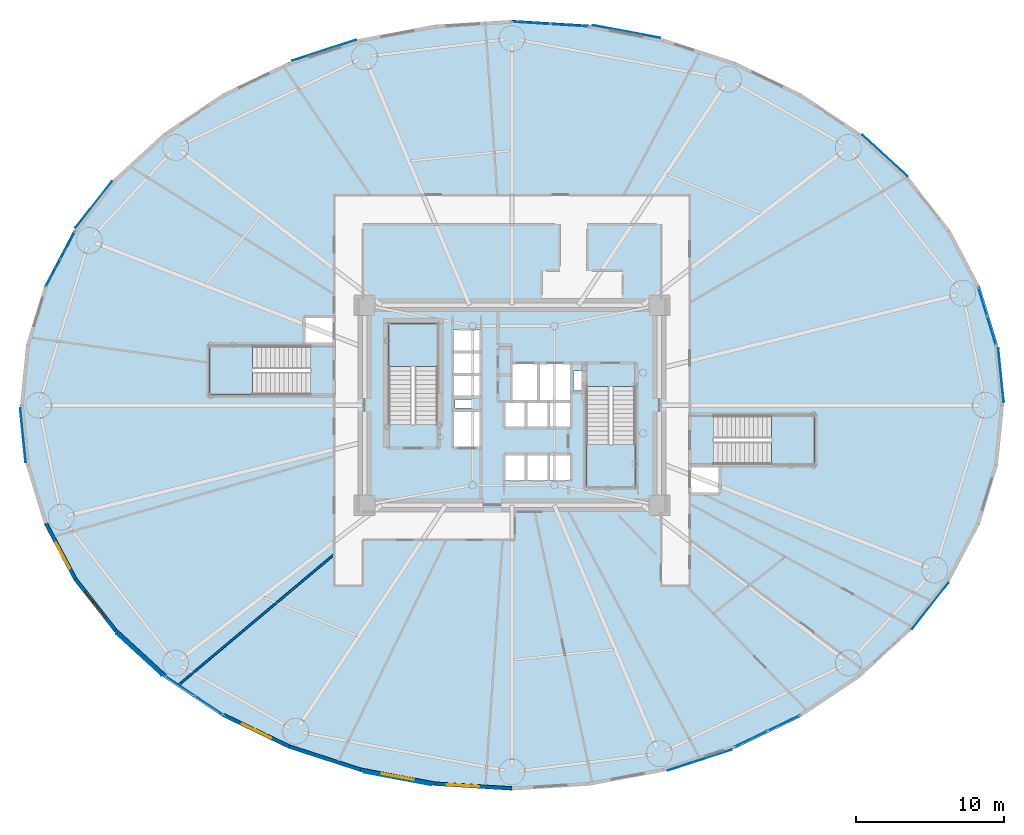
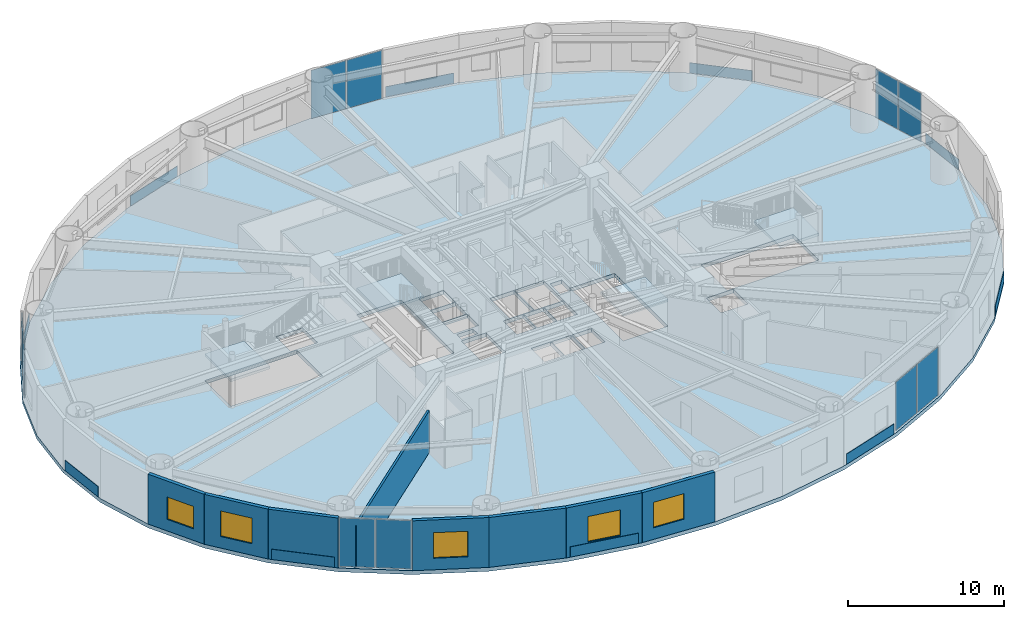
# One storey, part 12 of 27: 20 plates, 8 walls, 5 slabs, 5 windows, 5 openings, 9 elements without a shape of their own.
"""IFC4 building model written with IfcOpenShell, lengths in metres."""

from ifc_helpers import new_model, si_unit, direction, frame, frame_2d, origin, origin_2d, place, context, subcontext, project, spatial, polyline, rectangle, outline, extrude, source, transform, mapped, material, layer, layer_set, type_object, element, fill, aggregate, save


model = new_model("IFC4")

# Units and contexts
model_context = context("Model", 3, precision=1e-05, world=origin(), true_north=direction((0.0, 1.0)))
body_context = subcontext(model_context, "Body", "Model", "MODEL_VIEW")
ifc_project = project(units=[si_unit("LENGTHUNIT", "METRE"), si_unit("AREAUNIT", "SQUARE_METRE"), si_unit("VOLUMEUNIT", "CUBIC_METRE"), si_unit("PLANEANGLEUNIT", "RADIAN"), si_unit("MASSUNIT", "GRAM", prefix="KILO")], contexts=[model_context])

# Site, building, storey
site_placement = place(None, origin())
site = spatial("IfcSite", under=ifc_project, at=site_placement, CompositionType="ELEMENT")
building_placement = place(site_placement, origin())
building = spatial("IfcBuilding", under=site, at=building_placement, Name="Linh Dai School and Residence Tower", CompositionType="ELEMENT")
storey_placement = place(building_placement, frame((0.0, 0.0, 18.60009765625)))
storey = spatial("IfcBuildingStorey", under=building, at=storey_placement, Name="L04", CompositionType="ELEMENT", Elevation=18.60009765625)

# Slab
ifc_material_1 = material(Name="Concrete B45 (C35/45)", Category="concrete")
ifc_layer_1 = layer(ifc_material_1, 0.300048828125)
ifc_layer_set_1 = layer_set([ifc_layer_1], Name="Concrete B45 (C35/45)")
slab_type_1 = type_object("IfcSlabType", Name="SLB-FLR300", PredefinedType="FLOOR", material=ifc_layer_set_1)
slab_1_placement = place(storey_placement, frame((0.0, 0.0, -0.300048828125)))
element("IfcSlab", 1, at=slab_1_placement, inside=storey, type_object=slab_type_1, Name="L04 Composite Structural Floor Slab", PredefinedType="FLOOR", context=body_context, shape_type="SweptSolid", body=[
    extrude(outline(polyline([(69.199951171875, 27.0), (68.791259765625, 31.0673828125), (67.5751953125, 35.034423828125), (65.581298828125, 38.8037109375), (62.859375, 42.282470703125), (59.475830078125, 45.384765625), (55.514404296875, 48.034423828125), (51.072509765625, 50.166259765625), (46.25927734375, 51.7275390625), (41.193603515625, 52.679931640625), (36.0, 53.0), (30.806396484375, 52.679931640625), (25.74072265625, 51.7275390625), (20.927490234375, 50.166259765625), (16.485595703125, 48.034423828125), (12.524169921875, 45.384765625), (9.140625, 42.282470703125), (6.418701171875, 38.8037109375), (4.4248046875, 35.034423828125), (3.208740234375, 31.0673828125), (2.800048828125, 27.0), (3.208740234375, 22.9326171875), (4.4248046875, 18.965576171875), (6.418701171875, 15.1962890625), (9.140625, 11.717529296875), (12.524169921875, 8.615234375), (16.485595703125, 5.965576171875), (20.927490234375, 3.833740234375), (25.74072265625, 2.2724609375), (30.806396484375, 1.320068359375), (36.0, 1.0), (41.193603515625, 1.320068359375), (46.25927734375, 2.2724609375), (51.072509765625, 3.833740234375), (55.514404296875, 5.965576171875), (59.475830078125, 8.615234375), (62.859375, 11.717529296875), (65.581298828125, 15.1962890625), (67.5751953125, 18.965576171875), (68.791259765625, 22.9326171875), (69.199951171875, 27.0)]), holes=[polyline([(30.97998046875, 25.699951171875), (30.97998046875, 32.5), (27.679931640625, 32.5), (27.679931640625, 25.699951171875), (30.97998046875, 25.699951171875)]), polyline([(41.02001953125, 28.25), (41.02001953125, 21.449951171875), (44.320068359375, 21.449951171875), (44.320068359375, 28.25), (41.02001953125, 28.25)]), polyline([(22.39990234375, 31.0), (15.60009765625, 31.0), (15.60009765625, 27.699951171875), (22.39990234375, 27.699951171875), (22.39990234375, 31.0)]), polyline([(49.60009765625, 23.0), (56.39990234375, 23.0), (56.39990234375, 26.300048828125), (49.60009765625, 26.300048828125), (49.60009765625, 23.0)]), polyline([(35.97998046875, 27.280029296875), (37.77001953125, 27.280029296875), (37.77001953125, 29.820068359375), (35.97998046875, 29.820068359375), (35.97998046875, 27.280029296875)]), polyline([(32.030029296875, 24.1298828125), (33.8701171875, 24.1298828125), (33.8701171875, 26.6201171875), (32.030029296875, 26.6201171875), (32.030029296875, 24.1298828125)]), polyline([(37.830078125, 27.280029296875), (39.969970703125, 27.280029296875), (39.969970703125, 29.820068359375), (37.830078125, 29.820068359375), (37.830078125, 27.280029296875)]), polyline([(35.47998046875, 21.929931640625), (36.929931640625, 21.929931640625), (36.929931640625, 23.669921875), (35.47998046875, 23.669921875), (35.47998046875, 21.929931640625)]), polyline([(36.989990234375, 21.929931640625), (38.449951171875, 21.929931640625), (38.449951171875, 23.669921875), (36.989990234375, 23.669921875), (36.989990234375, 21.929931640625)]), polyline([(38.510009765625, 21.929931640625), (39.969970703125, 21.929931640625), (39.969970703125, 23.669921875), (38.510009765625, 23.669921875), (38.510009765625, 21.929931640625)]), polyline([(32.030029296875, 27.580078125), (33.8701171875, 27.580078125), (33.8701171875, 29.030029296875), (32.030029296875, 29.030029296875), (32.030029296875, 27.580078125)]), polyline([(32.030029296875, 29.090087890625), (33.8701171875, 29.090087890625), (33.8701171875, 30.550048828125), (32.030029296875, 30.550048828125), (32.030029296875, 29.090087890625)]), polyline([(32.030029296875, 30.610107421875), (33.8701171875, 30.610107421875), (33.8701171875, 32.070068359375), (32.030029296875, 32.070068359375), (32.030029296875, 30.610107421875)]), polyline([(35.47998046875, 25.47998046875), (36.929931640625, 25.47998046875), (36.929931640625, 27.219970703125), (35.47998046875, 27.219970703125), (35.47998046875, 25.47998046875)]), polyline([(36.989990234375, 25.47998046875), (38.449951171875, 25.47998046875), (38.449951171875, 27.219970703125), (36.989990234375, 27.219970703125), (36.989990234375, 25.47998046875)]), polyline([(38.510009765625, 25.47998046875), (39.969970703125, 25.47998046875), (39.969970703125, 27.219970703125), (38.510009765625, 27.219970703125), (38.510009765625, 25.47998046875)]), polyline([(21.97998046875, 31.080078125), (23.969970703125, 31.080078125), (23.969970703125, 32.969970703125), (21.97998046875, 32.969970703125), (21.97998046875, 31.080078125)]), polyline([(48.030029296875, 21.030029296875), (50.02001953125, 21.030029296875), (50.02001953125, 22.919921875), (48.030029296875, 22.919921875), (48.030029296875, 21.030029296875)]), polyline([(40.14990234375, 28.0), (40.14990234375, 29.300048828125), (41.0, 29.300048828125), (41.0, 28.280029296875), (40.989990234375, 28.280029296875), (40.989990234375, 28.0), (40.14990234375, 28.0)]), polyline([(32.14990234375, 26.800048828125), (33.35009765625, 26.800048828125), (33.35009765625, 27.39990234375), (32.14990234375, 27.39990234375), (32.14990234375, 26.800048828125)])]), origin(), (0.0, 0.0, 1.0), 0.300048828125),
])

# Stair, slab
stair_type = type_object("IfcStairType", Name="ST-DOG-1550-R1500", PredefinedType="HALF_TURN_STAIR", material=ifc_material_1)
stair_1_placement = place(storey_placement, origin())
stair_1 = element("IfcStair", 2, at=stair_1_placement, inside=storey, type_object=stair_type, Name="L04 Core Smokeproof Exit Stair ST1", PredefinedType="HALF_TURN_STAIR")
ifc_layer_2 = layer(ifc_material_1, 0.199951171875)
ifc_layer_set_2 = layer_set([ifc_layer_2], Name="Concrete B45 (C35/45)")
slab_type_2 = type_object("IfcSlabType", Name="SLB-ST-LANDING-200", PredefinedType="LANDING", material=ifc_layer_set_2)
slab_2_placement = place(storey_placement, frame((0.0, 0.0, 1.89990234375)))
slab_2 = element("IfcSlab", 3, at=slab_2_placement, type_object=slab_type_2, Name="ST1 landing 1", PredefinedType="LANDING", context=body_context, shape_type="SweptSolid", body=[
    extrude(outline(polyline([(30.97998046875, 29.60009765625), (30.97998046875, 32.5), (27.679931640625, 32.5), (27.679931640625, 29.60009765625), (30.97998046875, 29.60009765625)])), origin(), (0.0, 0.0, 1.0), 0.199951171875),
])
aggregate(stair_1, [slab_2])

stair_2_placement = place(storey_placement, origin())
stair_2 = element("IfcStair", 4, at=stair_2_placement, inside=storey, type_object=stair_type, Name="L04 Core Smokeproof Exit Stair ST2", PredefinedType="HALF_TURN_STAIR")
slab_3_placement = place(storey_placement, frame((0.0, 0.0, 1.89990234375)))
slab_3 = element("IfcSlab", 5, at=slab_3_placement, type_object=slab_type_2, Name="ST2 landing 1", PredefinedType="LANDING", context=body_context, shape_type="SweptSolid", body=[
    extrude(outline(polyline([(41.02001953125, 24.35009765625), (41.02001953125, 21.449951171875), (44.320068359375, 21.449951171875), (44.320068359375, 24.35009765625), (41.02001953125, 24.35009765625)])), origin(), (0.0, 0.0, 1.0), 0.199951171875),
])
aggregate(stair_2, [slab_3])

stair_3_placement = place(storey_placement, origin())
stair_3 = element("IfcStair", 6, at=stair_3_placement, inside=storey, type_object=stair_type, Name="L04 School Exit Stair STS1", PredefinedType="HALF_TURN_STAIR")
slab_4_placement = place(storey_placement, frame((0.0, 0.0, 1.89990234375)))
slab_4 = element("IfcSlab", 7, at=slab_4_placement, type_object=slab_type_2, Name="STS1 landing 1", PredefinedType="LANDING", context=body_context, shape_type="SweptSolid", body=[
    extrude(outline(polyline([(18.5, 31.0), (15.60009765625, 31.0), (15.60009765625, 27.699951171875), (18.5, 27.699951171875), (18.5, 31.0)])), origin(), (0.0, 0.0, 1.0), 0.199951171875),
])
aggregate(stair_3, [slab_4])

stair_4_placement = place(storey_placement, origin())
stair_4 = element("IfcStair", 8, at=stair_4_placement, inside=storey, type_object=stair_type, Name="L04 School Exit Stair STS2", PredefinedType="HALF_TURN_STAIR")
slab_5_placement = place(storey_placement, frame((0.0, 0.0, 1.89990234375)))
slab_5 = element("IfcSlab", 9, at=slab_5_placement, type_object=slab_type_2, Name="STS2 landing 1", PredefinedType="LANDING", context=body_context, shape_type="SweptSolid", body=[
    extrude(outline(polyline([(53.5, 23.0), (56.39990234375, 23.0), (56.39990234375, 26.300048828125), (53.5, 26.300048828125), (53.5, 23.0)])), origin(), (0.0, 0.0, 1.0), 0.199951171875),
])
aggregate(stair_4, [slab_5])

# Plates
ifc_material_2 = material(Name="Terracotta Rainscreen Cladding", Category="masonry")
ifc_layer_3 = layer(ifc_material_2, 0.0400390625)
ifc_layer_set_3 = layer_set([ifc_layer_3], Name="Terracotta Rainscreen Cladding")
plate_type_1 = type_object("IfcPlateType", Name="PLT-TC-SPANDREL", PredefinedType="SHEET", material=ifc_layer_set_3)
shared_shape_1 = source(origin(), body_context, "Body", "SweptSolid", [
    extrude(rectangle(XDim=3.656494140625, YDim=0.0400390625, at=origin_2d()), origin(), (0.0, 0.0, 1.0), 0.800048828125),
])
for number, where, z_axis, x_axis, name in (
    (10, (69.006103515625, 29.03466796875, 0.02001953125), (0.0, 0.0, 1.0), (0.099995480682, -0.994987891305, 0.0), "L04 Terracotta Spandrel Sheet 01"),
    (11, (2.993896484375, 24.96533203125, 0.02001953125), (0.0, 0.0, 1.0), (-0.099995480682, 0.994987891305, 0.0), "L04 Terracotta Spandrel Sheet 21"),
):
    element("IfcPlate", number, at=place(storey_placement, frame(where, z_axis=z_axis, x_axis=x_axis)), inside=storey, type_object=plate_type_1, Name=name, PredefinedType="SHEET", context=body_context, shape_type="MappedRepresentation", body=[
        mapped(shared_shape_1, transform((0.0, 0.0, 0.0), x_axis=(1.0, 0.0, 0.0), y_axis=(0.0, 1.0, 0.0), z_axis=(0.0, 0.0, 1.0), scale=1.0)),
    ])

# Curtain wall, plates
ifc_material_3 = material(Name="Aluminium Anodised Curtain Wall", Category="aluminium")
ifc_layer_4 = layer(ifc_material_3, 0.169921875)
ifc_layer_set_4 = layer_set([ifc_layer_4], Name="Aluminium Anodised Curtain Wall")
curtain_wall_type = type_object("IfcCurtainWallType", Name="CW-SYS-2", PredefinedType="USERDEFINED", material=ifc_layer_set_4)
curtain_wall_1_placement = place(storey_placement, origin())
curtain_wall_1 = element("IfcCurtainWall", 12, at=curtain_wall_1_placement, inside=storey, type_object=curtain_wall_type, Name="L04 CW2 Curtain Wall 02", ObjectType="UNITISED CURTAIN WALL", PredefinedType="USERDEFINED")
ifc_material_4 = material(Name="Double Low-E Insulated Glazing", Category="glass")
ifc_layer_5 = layer(ifc_material_4, 0.030029296875)
ifc_layer_set_5 = layer_set([ifc_layer_5], Name="Double Low-E Insulated Glazing")
plate_type_2 = type_object("IfcPlateType", Name="CW-SYS-2-PAN", PredefinedType="CURTAIN_PANEL", material=ifc_layer_set_5)
shared_shape_2 = source(origin(), body_context, "Body", "SweptSolid", [
    extrude(rectangle(XDim=1.97265625, YDim=0.030029296875, at=origin_2d()), origin(), (0.0, 0.0, 1.0), 3.780029296875),
])
plate_1_placement = place(storey_placement, frame((67.766357421875, 33.986083984375, 0.06005859375), z_axis=(0.0, 0.0, 1.0), x_axis=(0.293103659962, -0.956080668415, 0.0)))
plate_1 = element("IfcPlate", 13, at=plate_1_placement, type_object=plate_type_2, Name="CW2 panel 1.1", PredefinedType="CURTAIN_PANEL", context=body_context, shape_type="MappedRepresentation", body=[
    mapped(shared_shape_2, transform((0.0, 0.0, 0.0), x_axis=(1.0, 0.0, 0.0), y_axis=(0.0, 1.0, 0.0), z_axis=(0.0, 0.0, 1.0), scale=1.0)),
])
plate_2_placement = place(storey_placement, frame((68.362060546875, 32.04296875, 0.06005859375), z_axis=(0.0, 0.0, 1.0), x_axis=(0.293103659962, -0.956080668415, 0.0)))
plate_2 = element("IfcPlate", 14, at=plate_2_placement, type_object=plate_type_2, Name="CW2 panel 2.1", PredefinedType="CURTAIN_PANEL", context=body_context, shape_type="MappedRepresentation", body=[
    mapped(shared_shape_2, transform((0.0, 0.0, 0.0), x_axis=(1.0, 0.0, 0.0), y_axis=(0.0, 1.0, 0.0), z_axis=(0.0, 0.0, 1.0), scale=1.0)),
])
aggregate(curtain_wall_1, [plate_1, plate_2])

# Plates
shared_shape_3 = source(origin(), body_context, "Body", "SweptSolid", [
    extrude(rectangle(XDim=4.113525390625, YDim=0.0400390625, at=origin_2d()), origin(), (0.0, 0.0, 1.0), 0.800048828125),
])
for number, where, z_axis, x_axis, name in (
    (15, (61.174560546875, 43.84130859375, 0.02001953125), (0.0, 0.0, 1.0), (0.737062771311, -0.675824290143, 0.0), "L04 Terracotta Spandrel Sheet 05"),
    (16, (10.825439453125, 10.15869140625, 0.02001953125), (0.0, 0.0, 1.0), (-0.737061772031, 0.675825379969, 0.0), "L04 Terracotta Spandrel Sheet 25"),
):
    element("IfcPlate", number, at=place(storey_placement, frame(where, z_axis=z_axis, x_axis=x_axis)), inside=storey, type_object=plate_type_1, Name=name, PredefinedType="SHEET", context=body_context, shape_type="MappedRepresentation", body=[
        mapped(shared_shape_3, transform((0.0, 0.0, 0.0), x_axis=(1.0, 0.0, 0.0), y_axis=(0.0, 1.0, 0.0), z_axis=(0.0, 0.0, 1.0), scale=1.0)),
    ])
shared_shape_4 = source(origin(), body_context, "Body", "SweptSolid", [
    extrude(rectangle(XDim=4.625, YDim=0.0400390625, at=origin_2d()), origin(), (0.0, 0.0, 1.0), 0.800048828125),
])
for number, where, z_axis, x_axis, name in (
    (17, (43.728271484375, 52.2138671875, 0.02001953125), (0.0, 0.0, 1.0), (0.982780818112, -0.184775170275, 0.0), "L04 Terracotta Spandrel Sheet 09"),
    (18, (28.271728515625, 1.7861328125, 0.02001953125), (0.0, 0.0, 1.0), (-0.982780818112, 0.184775170275, 0.0), "L04 Terracotta Spandrel Sheet 29"),
):
    element("IfcPlate", number, at=place(storey_placement, frame(where, z_axis=z_axis, x_axis=x_axis)), inside=storey, type_object=plate_type_1, Name=name, PredefinedType="SHEET", context=body_context, shape_type="MappedRepresentation", body=[
        mapped(shared_shape_4, transform((0.0, 0.0, 0.0), x_axis=(1.0, 0.0, 0.0), y_axis=(0.0, 1.0, 0.0), z_axis=(0.0, 0.0, 1.0), scale=1.0)),
    ])

# Curtain wall, plates
curtain_wall_2_placement = place(storey_placement, origin())
curtain_wall_2 = element("IfcCurtainWall", 19, at=curtain_wall_2_placement, inside=storey, type_object=curtain_wall_type, Name="L04 CW2 Curtain Wall 10", ObjectType="UNITISED CURTAIN WALL", PredefinedType="USERDEFINED")
shared_shape_5 = source(origin(), body_context, "Body", "SweptSolid", [
    extrude(rectangle(XDim=2.504150390625, YDim=0.030029296875, at=origin_2d()), origin(), (0.0, 0.0, 1.0), 3.780029296875),
])
plate_3_placement = place(storey_placement, frame((37.3095703125, 52.794189453125, 0.06005859375), z_axis=(0.0, 0.0, 1.0), x_axis=(0.998106086185, -0.061516182598, 0.0)))
plate_3 = element("IfcPlate", 20, at=plate_3_placement, type_object=plate_type_2, Name="CW2 panel 1.1", PredefinedType="CURTAIN_PANEL", context=body_context, shape_type="MappedRepresentation", body=[
    mapped(shared_shape_5, transform((0.0, 0.0, 0.0), x_axis=(1.0, 0.0, 0.0), y_axis=(0.0, 1.0, 0.0), z_axis=(0.0, 0.0, 1.0), scale=1.0)),
])
plate_4_placement = place(storey_placement, frame((39.86865234375, 52.636474609375, 0.06005859375), z_axis=(0.0, 0.0, 1.0), x_axis=(0.998106086185, -0.061516182598, 0.0)))
plate_4 = element("IfcPlate", 21, at=plate_4_placement, type_object=plate_type_2, Name="CW2 panel 2.1", PredefinedType="CURTAIN_PANEL", context=body_context, shape_type="MappedRepresentation", body=[
    mapped(shared_shape_5, transform((0.0, 0.0, 0.0), x_axis=(1.0, 0.0, 0.0), y_axis=(0.0, 1.0, 0.0), z_axis=(0.0, 0.0, 1.0), scale=1.0)),
])
aggregate(curtain_wall_2, [plate_3, plate_4])

# Plates
shared_shape_6 = source(origin(), body_context, "Body", "SweptSolid", [
    extrude(rectangle(XDim=4.539306640625, YDim=0.0400390625, at=origin_2d()), origin(), (0.0, 0.0, 1.0), 0.800048828125),
])
for number, where, z_axis, x_axis, name in (
    (22, (23.3310546875, 50.95654296875, 0.02001953125), (0.0, 0.0, 1.0), (0.951206809592, 0.308554055858, 0.0), "L04 Terracotta Spandrel Sheet 13"),
    (23, (48.6689453125, 3.04345703125, 0.02001953125), (0.0, 0.0, 1.0), (-0.951206809592, -0.308554055858, 0.0), "L04 Terracotta Spandrel Sheet 33"),
):
    element("IfcPlate", number, at=place(storey_placement, frame(where, z_axis=z_axis, x_axis=x_axis)), inside=storey, type_object=plate_type_1, Name=name, PredefinedType="SHEET", context=body_context, shape_type="MappedRepresentation", body=[
        mapped(shared_shape_6, transform((0.0, 0.0, 0.0), x_axis=(1.0, 0.0, 0.0), y_axis=(0.0, 1.0, 0.0), z_axis=(0.0, 0.0, 1.0), scale=1.0)),
    ])
shared_shape_7 = source(origin(), body_context, "Body", "SweptSolid", [
    extrude(rectangle(XDim=3.956298828125, YDim=0.0400390625, at=origin_2d()), origin(), (0.0, 0.0, 1.0), 0.800048828125),
])
for number, where, z_axis, x_axis, name in (
    (24, (7.771484375, 40.5498046875, 0.02001953125), (0.0, 0.0, 1.0), (0.616260230785, 0.787542588025, 0.0), "L04 Terracotta Spandrel Sheet 17"),
    (25, (64.228515625, 13.4501953125, 0.02001953125), (0.0, 0.0, 1.0), (-0.616260230785, -0.787542588025, 0.0), "L04 Terracotta Spandrel Sheet 37"),
):
    element("IfcPlate", number, at=place(storey_placement, frame(where, z_axis=z_axis, x_axis=x_axis)), inside=storey, type_object=plate_type_1, Name=name, PredefinedType="SHEET", context=body_context, shape_type="MappedRepresentation", body=[
        mapped(shared_shape_7, transform((0.0, 0.0, 0.0), x_axis=(1.0, 0.0, 0.0), y_axis=(0.0, 1.0, 0.0), z_axis=(0.0, 0.0, 1.0), scale=1.0)),
    ])

# Curtain wall, plates
curtain_wall_3_placement = place(storey_placement, origin())
curtain_wall_3 = element("IfcCurtainWall", 26, at=curtain_wall_3_placement, inside=storey, type_object=curtain_wall_type, Name="L04 CW2 Curtain Wall 18", ObjectType="UNITISED CURTAIN WALL", PredefinedType="USERDEFINED")
shared_shape_8 = source(origin(), body_context, "Body", "SweptSolid", [
    extrude(rectangle(XDim=2.030517578125, YDim=0.030029296875, at=origin_2d()), origin(), (0.0, 0.0, 1.0), 3.780029296875),
])
plate_5_placement = place(storey_placement, frame((5.043212890625, 35.93701171875, 0.06005859375), z_axis=(0.0, 0.0, 1.0), x_axis=(0.467555104298, 0.883963927118, 0.0)))
plate_5 = element("IfcPlate", 27, at=plate_5_placement, type_object=plate_type_2, Name="CW2 panel 1.1", PredefinedType="CURTAIN_PANEL", context=body_context, shape_type="MappedRepresentation", body=[
    mapped(shared_shape_8, transform((0.0, 0.0, 0.0), x_axis=(1.0, 0.0, 0.0), y_axis=(0.0, 1.0, 0.0), z_axis=(0.0, 0.0, 1.0), scale=1.0)),
])
plate_6_placement = place(storey_placement, frame((6.0205078125, 37.78515625, 0.06005859375), z_axis=(0.0, 0.0, 1.0), x_axis=(0.467555104298, 0.883963927118, 0.0)))
plate_6 = element("IfcPlate", 28, at=plate_6_placement, type_object=plate_type_2, Name="CW2 panel 2.1", PredefinedType="CURTAIN_PANEL", context=body_context, shape_type="MappedRepresentation", body=[
    mapped(shared_shape_8, transform((0.0, 0.0, 0.0), x_axis=(1.0, 0.0, 0.0), y_axis=(0.0, 1.0, 0.0), z_axis=(0.0, 0.0, 1.0), scale=1.0)),
])
aggregate(curtain_wall_3, [plate_5, plate_6])

curtain_wall_4_placement = place(storey_placement, origin())
curtain_wall_4 = element("IfcCurtainWall", 29, at=curtain_wall_4_placement, inside=storey, type_object=curtain_wall_type, Name="L04 CW2 Curtain Wall 26", ObjectType="UNITISED CURTAIN WALL", PredefinedType="USERDEFINED")
shared_shape_9 = source(origin(), body_context, "Body", "SweptSolid", [
    extrude(rectangle(XDim=2.28369140625, YDim=0.030029296875, at=origin_2d()), origin(), (0.0, 0.0, 1.0), 3.780029296875),
])
plate_7_placement = place(storey_placement, frame((15.54833984375, 6.742431640625, 0.06005859375), z_axis=(0.0, 0.0, 1.0), x_axis=(-0.831211344437, 0.555956563843, 0.0)))
plate_7 = element("IfcPlate", 30, at=plate_7_placement, type_object=plate_type_2, Name="CW2 panel 1.1", PredefinedType="CURTAIN_PANEL", context=body_context, shape_type="MappedRepresentation", body=[
    mapped(shared_shape_9, transform((0.0, 0.0, 0.0), x_axis=(1.0, 0.0, 0.0), y_axis=(0.0, 1.0, 0.0), z_axis=(0.0, 0.0, 1.0), scale=1.0)),
])
plate_8_placement = place(storey_placement, frame((13.60009765625, 8.04541015625, 0.06005859375), z_axis=(0.0, 0.0, 1.0), x_axis=(-0.831211344437, 0.555956563843, 0.0)))
plate_8 = element("IfcPlate", 31, at=plate_8_placement, type_object=plate_type_2, Name="CW2 panel 2.1", PredefinedType="CURTAIN_PANEL", context=body_context, shape_type="MappedRepresentation", body=[
    mapped(shared_shape_9, transform((0.0, 0.0, 0.0), x_axis=(1.0, 0.0, 0.0), y_axis=(0.0, 1.0, 0.0), z_axis=(0.0, 0.0, 1.0), scale=1.0)),
])
aggregate(curtain_wall_4, [plate_7, plate_8])

curtain_wall_5_placement = place(storey_placement, origin())
curtain_wall_5 = element("IfcCurtainWall", 32, at=curtain_wall_5_placement, inside=storey, type_object=curtain_wall_type, Name="L04 CW2 Curtain Wall 34", ObjectType="UNITISED CURTAIN WALL", PredefinedType="USERDEFINED")
shared_shape_10 = source(origin(), body_context, "Body", "SweptSolid", [
    extrude(rectangle(XDim=2.364990234375, YDim=0.030029296875, at=origin_2d()), origin(), (0.0, 0.0, 1.0), 3.780029296875),
])
plate_9_placement = place(storey_placement, frame((54.33251953125, 5.53662109375, 0.06005859375), z_axis=(0.0, 0.0, 1.0), x_axis=(-0.901558428479, -0.432657370259, 0.0)))
plate_9 = element("IfcPlate", 33, at=plate_9_placement, type_object=plate_type_2, Name="CW2 panel 1.1", PredefinedType="CURTAIN_PANEL", context=body_context, shape_type="MappedRepresentation", body=[
    mapped(shared_shape_10, transform((0.0, 0.0, 0.0), x_axis=(1.0, 0.0, 0.0), y_axis=(0.0, 1.0, 0.0), z_axis=(0.0, 0.0, 1.0), scale=1.0)),
])
plate_10_placement = place(storey_placement, frame((52.146240234375, 4.487548828125, 0.06005859375), z_axis=(0.0, 0.0, 1.0), x_axis=(-0.901558428479, -0.432657370259, 0.0)))
plate_10 = element("IfcPlate", 34, at=plate_10_placement, type_object=plate_type_2, Name="CW2 panel 2.1", PredefinedType="CURTAIN_PANEL", context=body_context, shape_type="MappedRepresentation", body=[
    mapped(shared_shape_10, transform((0.0, 0.0, 0.0), x_axis=(1.0, 0.0, 0.0), y_axis=(0.0, 1.0, 0.0), z_axis=(0.0, 0.0, 1.0), scale=1.0)),
])
aggregate(curtain_wall_5, [plate_9, plate_10])

# Wall, opening, window
ifc_material_5 = material(Name="Precast Concrete B45 (C35/45)", Category="concrete")
ifc_layer_6 = layer(ifc_material_5, 0.25)
ifc_layer_set_6 = layer_set([ifc_layer_6], Name="Precast Concrete B45 (C35/45)")
wall_type_1 = type_object("IfcWallType", Name="EW-TC-250", PredefinedType="SOLIDWALL", material=ifc_layer_set_6)
wall_1_placement = place(storey_placement, frame((6.5234375, 15.264404296875, 0.0), z_axis=(0.0, 0.0, 1.0), x_axis=(-0.467588829866, 0.883946087827, 0.0)))
wall_1 = element("IfcWall", 35, at=wall_1_placement, inside=storey, type_object=wall_type_1, Name="L04 Terracotta Exterior Wall 23", PredefinedType="SOLIDWALL", context=body_context, shape_type="SweptSolid", body=[
    extrude(rectangle(XDim=4.2412109375, YDim=0.25, at=frame_2d((2.12060546875, 0.0))), origin(), (0.0, 0.0, 1.0), 3.89990234375),
])
opening_1_placement = place(wall_1_placement, frame((0.795166015625, 0.0, 0.89990234375)))
opening_1 = element("IfcOpeningElement", 36, at=opening_1_placement, cuts=wall_1, Name="Opening W1", PredefinedType="OPENING", context=body_context, shape_type="SweptSolid", body=[
    extrude(rectangle(XDim=2.0, YDim=1.75, at=origin_2d()), frame((1.0, 0.135009765625, 0.875), z_axis=(0.0, -1.0, 0.0), x_axis=(1.0, 0.0, 0.0)), (0.0, 0.0, 1.0), 0.27001953125),
])
window_type_1 = type_object("IfcWindowType", Name="WN-RES-2000x1750", PartitioningType="DOUBLE_PANEL_VERTICAL", PredefinedType="WINDOW", material=ifc_material_4)
shared_shape_11 = source(origin(), body_context, "Body", "SweptSolid", [
    extrude(rectangle(XDim=2.0, YDim=1.75, at=origin_2d()), frame((1.0, 0.030029296875, 0.875), z_axis=(0.0, -1.0, 0.0), x_axis=(1.0, 0.0, 0.0)), (0.0, 0.0, 1.0), 0.06005859375),
])
window_1_placement = place(opening_1_placement, origin())
window_1 = element("IfcWindow", 37, at=window_1_placement, inside=storey, type_object=window_type_1, Name="L04 Exterior Window 23.1", OverallHeight=1.75, OverallWidth=2.0, PartitioningType="DOUBLE_PANEL_VERTICAL", PredefinedType="WINDOW", context=body_context, shape_type="MappedRepresentation", body=[
    mapped(shared_shape_11, transform((0.0, 0.0, 0.0), x_axis=(1.0, 0.0, 0.0), y_axis=(0.0, 1.0, 0.0), z_axis=(0.0, 0.0, 1.0), scale=1.0)),
])
fill(opening_1, window_1)

wall_2_placement = place(storey_placement, frame((9.232177734375, 11.802490234375, 0.0), z_axis=(0.0, 0.0, 1.0), x_axis=(-0.61622589112, 0.787569457961, 0.0)))
wall_2 = element("IfcWall", 38, at=wall_2_placement, inside=storey, type_object=wall_type_1, Name="L04 Terracotta Exterior Wall 24", PredefinedType="SOLIDWALL", context=body_context, shape_type="SweptSolid", body=[
    extrude(rectangle(XDim=4.395751953125, YDim=0.25, at=frame_2d((2.19775390625, 0.0))), origin(), (0.0, 0.0, 1.0), 3.89990234375),
])
opening_2_placement = place(wall_2_placement, frame((1.09765625, 0.0, 0.89990234375)))
opening_2 = element("IfcOpeningElement", 39, at=opening_2_placement, cuts=wall_2, Name="Opening W4", PredefinedType="OPENING", context=body_context, shape_type="SweptSolid", body=[
    extrude(rectangle(XDim=2.199951171875, YDim=2.0, at=origin_2d()), frame((1.10009765625, 0.135009765625, 1.0), z_axis=(0.0, -1.0, 0.0), x_axis=(1.0, 0.0, 0.0)), (0.0, 0.0, 1.0), 0.27001953125),
])
ifc_material_6 = material(Name="Acoustic Laminated Low-E Glazing", Category="glass")
window_type_2 = type_object("IfcWindowType", Name="WN-SCH-2200x2000", PartitioningType="TRIPLE_PANEL_VERTICAL", PredefinedType="WINDOW", material=ifc_material_6)
shared_shape_12 = source(origin(), body_context, "Body", "SweptSolid", [
    extrude(rectangle(XDim=2.199951171875, YDim=2.0, at=origin_2d()), frame((1.10009765625, 0.030029296875, 1.0), z_axis=(0.0, -1.0, 0.0), x_axis=(1.0, 0.0, 0.0)), (0.0, 0.0, 1.0), 0.06005859375),
])
window_2_placement = place(opening_2_placement, origin())
window_2 = element("IfcWindow", 40, at=window_2_placement, inside=storey, type_object=window_type_2, Name="L04 Exterior Window 24.1", OverallHeight=2.0, OverallWidth=2.199951171875, PartitioningType="TRIPLE_PANEL_VERTICAL", PredefinedType="WINDOW", context=body_context, shape_type="MappedRepresentation", body=[
    mapped(shared_shape_12, transform((0.0, 0.0, 0.0), x_axis=(1.0, 0.0, 0.0), y_axis=(0.0, 1.0, 0.0), z_axis=(0.0, 0.0, 1.0), scale=1.0)),
])
fill(opening_2, window_2)

# Wall
wall_3_placement = place(storey_placement, frame((12.60107421875, 8.713623046875, 0.0), z_axis=(0.0, 0.0, 1.0), x_axis=(-0.737076532105, 0.675809282136, 0.0)))
element("IfcWall", 41, at=wall_3_placement, inside=storey, type_object=wall_type_1, Name="L04 Terracotta Exterior Wall 25", PredefinedType="SOLIDWALL", context=body_context, shape_type="SweptSolid", body=[
    extrude(rectangle(XDim=4.570556640625, YDim=0.25, at=frame_2d((2.28515625, 0.0))), origin(), (0.0, 0.0, 1.0), 3.89990234375),
])

# Wall, opening, window
wall_4_placement = place(storey_placement, frame((20.973876953125, 3.949951171875, 0.0), z_axis=(0.0, 0.0, 1.0), x_axis=(-0.901559523397, 0.432655088692, 0.0)))
wall_4 = element("IfcWall", 42, at=wall_4_placement, inside=storey, type_object=wall_type_1, Name="L04 Terracotta Exterior Wall 27", PredefinedType="SOLIDWALL", context=body_context, shape_type="SweptSolid", body=[
    extrude(rectangle(XDim=4.909912109375, YDim=0.25, at=frame_2d((2.455078125, 0.0))), origin(), (0.0, 0.0, 1.0), 3.89990234375),
])
opening_3_placement = place(wall_4_placement, frame((1.354736328125, 0.0, 0.89990234375)))
opening_3 = element("IfcOpeningElement", 43, at=opening_3_placement, cuts=wall_4, Name="Opening W4", PredefinedType="OPENING", context=body_context, shape_type="SweptSolid", body=[
    extrude(rectangle(XDim=2.199951171875, YDim=2.0, at=origin_2d()), frame((1.10009765625, 0.135009765625, 1.0), z_axis=(0.0, -1.0, 0.0), x_axis=(1.0, 0.0, 0.0)), (0.0, 0.0, 1.0), 0.27001953125),
])
window_3_placement = place(opening_3_placement, origin())
window_3 = element("IfcWindow", 44, at=window_3_placement, inside=storey, type_object=window_type_2, Name="L04 Exterior Window 27.1", OverallHeight=2.0, OverallWidth=2.199951171875, PartitioningType="TRIPLE_PANEL_VERTICAL", PredefinedType="WINDOW", context=body_context, shape_type="MappedRepresentation", body=[
    mapped(shared_shape_12, transform((0.0, 0.0, 0.0), x_axis=(1.0, 0.0, 0.0), y_axis=(0.0, 1.0, 0.0), z_axis=(0.0, 0.0, 1.0), scale=1.0)),
])
fill(opening_3, window_3)

# Wall
wall_5_placement = place(storey_placement, frame((25.771484375, 2.3935546875, 0.0), z_axis=(0.0, 0.0, 1.0), x_axis=(-0.951198629726, 0.308579271513, 0.0)))
element("IfcWall", 45, at=wall_5_placement, inside=storey, type_object=wall_type_1, Name="L04 Terracotta Exterior Wall 28", PredefinedType="SOLIDWALL", context=body_context, shape_type="SweptSolid", body=[
    extrude(rectangle(XDim=5.043701171875, YDim=0.25, at=frame_2d((2.52197265625, 0.0))), origin(), (0.0, 0.0, 1.0), 3.89990234375),
])

# Wall, opening, window
wall_6_placement = place(storey_placement, frame((30.82177734375, 1.444091796875, 0.0), z_axis=(0.0, 0.0, 1.0), x_axis=(-0.98278278947, 0.184764684726, 0.0)))
wall_6 = element("IfcWall", 46, at=wall_6_placement, inside=storey, type_object=wall_type_1, Name="L04 Terracotta Exterior Wall 29", PredefinedType="SOLIDWALL", context=body_context, shape_type="SweptSolid", body=[
    extrude(rectangle(XDim=5.138671875, YDim=0.25, at=frame_2d((2.5693359375, 0.0))), origin(), (0.0, 0.0, 1.0), 3.89990234375),
])
opening_4_placement = place(wall_6_placement, frame((1.469482421875, 0.0, 0.89990234375)))
opening_4 = element("IfcOpeningElement", 47, at=opening_4_placement, cuts=wall_6, Name="Opening W4", PredefinedType="OPENING", context=body_context, shape_type="SweptSolid", body=[
    extrude(rectangle(XDim=2.199951171875, YDim=2.0, at=origin_2d()), frame((1.10009765625, 0.135009765625, 1.0), z_axis=(0.0, -1.0, 0.0), x_axis=(1.0, 0.0, 0.0)), (0.0, 0.0, 1.0), 0.27001953125),
])
window_4_placement = place(opening_4_placement, origin())
window_4 = element("IfcWindow", 48, at=window_4_placement, inside=storey, type_object=window_type_2, Name="L04 Exterior Window 29.1", OverallHeight=2.0, OverallWidth=2.199951171875, PartitioningType="TRIPLE_PANEL_VERTICAL", PredefinedType="WINDOW", context=body_context, shape_type="MappedRepresentation", body=[
    mapped(shared_shape_12, transform((0.0, 0.0, 0.0), x_axis=(1.0, 0.0, 0.0), y_axis=(0.0, 1.0, 0.0), z_axis=(0.0, 0.0, 1.0), scale=1.0)),
])
fill(opening_4, window_4)

wall_7_placement = place(storey_placement, frame((36.0, 1.125, 0.0), z_axis=(0.0, 0.0, 1.0), x_axis=(-0.998106762298, 0.061505211614, 0.0)))
wall_7 = element("IfcWall", 49, at=wall_7_placement, inside=storey, type_object=wall_type_1, Name="L04 Terracotta Exterior Wall 30", PredefinedType="SOLIDWALL", context=body_context, shape_type="SweptSolid", body=[
    extrude(rectangle(XDim=5.18798828125, YDim=0.25, at=frame_2d((2.593994140625, 0.0))), origin(), (0.0, 0.0, 1.0), 3.89990234375),
])
opening_5_placement = place(wall_7_placement, frame((2.2021484375, 0.0, 0.89990234375)))
opening_5 = element("IfcOpeningElement", 50, at=opening_5_placement, cuts=wall_7, Name="Opening W4", PredefinedType="OPENING", context=body_context, shape_type="SweptSolid", body=[
    extrude(rectangle(XDim=2.199951171875, YDim=2.0, at=origin_2d()), frame((1.10009765625, 0.135009765625, 1.0), z_axis=(0.0, -1.0, 0.0), x_axis=(1.0, 0.0, 0.0)), (0.0, 0.0, 1.0), 0.27001953125),
])
window_5_placement = place(opening_5_placement, origin())
window_5 = element("IfcWindow", 51, at=window_5_placement, inside=storey, type_object=window_type_2, Name="L04 Exterior Window 30.1", OverallHeight=2.0, OverallWidth=2.199951171875, PartitioningType="TRIPLE_PANEL_VERTICAL", PredefinedType="WINDOW", context=body_context, shape_type="MappedRepresentation", body=[
    mapped(shared_shape_12, transform((0.0, 0.0, 0.0), x_axis=(1.0, 0.0, 0.0), y_axis=(0.0, 1.0, 0.0), z_axis=(0.0, 0.0, 1.0), scale=1.0)),
])
fill(opening_5, window_5)

# Wall
ifc_material_7 = material(Name="Autoclaved Aerated Concrete Blockwork", Category="masonry")
ifc_layer_7 = layer(ifc_material_7, 0.14990234375)
ifc_layer_set_7 = layer_set([ifc_layer_7], Name="Autoclaved Aerated Concrete Blockwork")
wall_type_2 = type_object("IfcWallType", Name="IW-SCH-150-EI60", PredefinedType="PARTITIONING", material=ifc_layer_set_7)
wall_8_placement = place(storey_placement, frame((13.49072265625, 8.112548828125, 0.0), z_axis=(0.0, 0.0, 1.0), x_axis=(0.766043415451, 0.642788834412, 0.0)))
element("IfcWall", 52, at=wall_8_placement, inside=storey, type_object=wall_type_2, Name="L04 Interior Partition Wall 004", PredefinedType="PARTITIONING", context=body_context, shape_type="SweptSolid", body=[
    extrude(rectangle(XDim=13.718994140625, YDim=0.14990234375, at=frame_2d((6.859375, 0.0))), origin(), (0.0, 0.0, 1.0), 3.284912109375),
])

save(model, "model.ifc")
